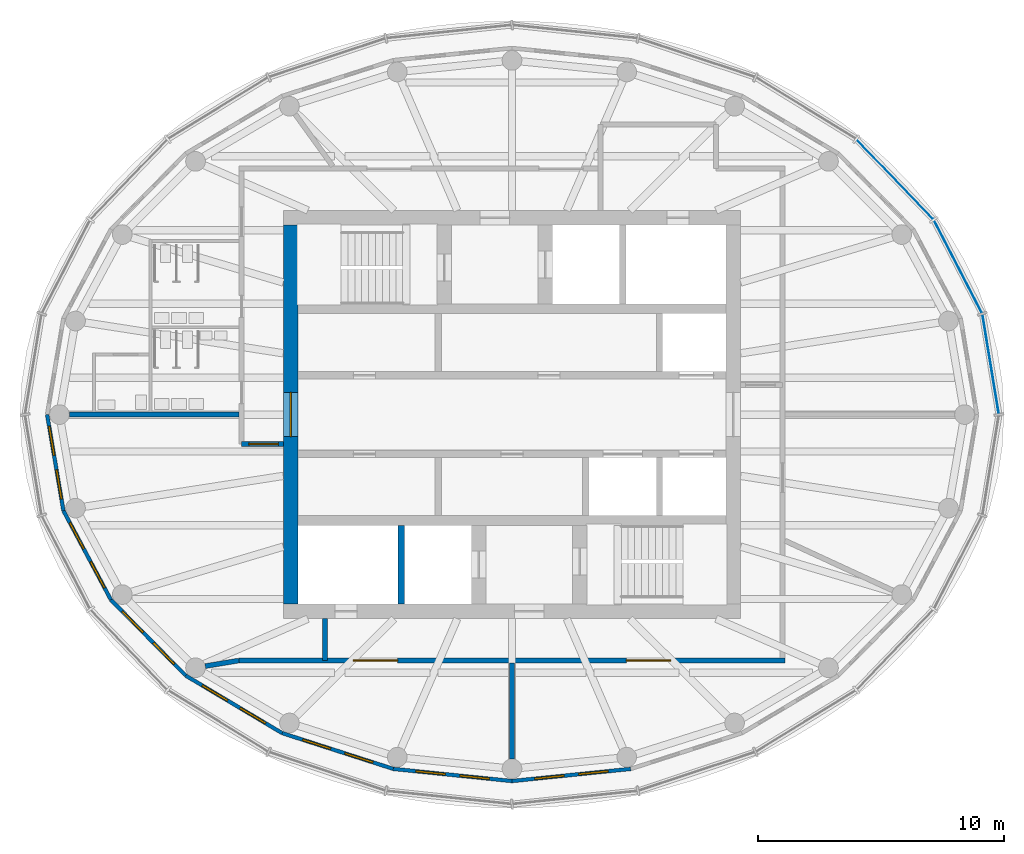
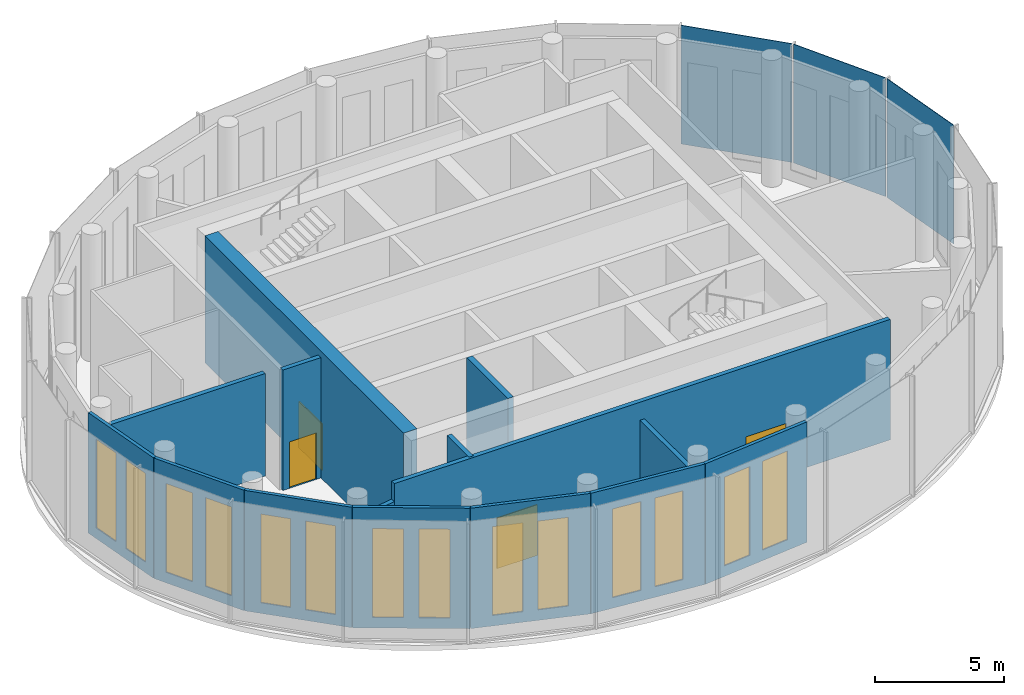
# One storey, part 4 of 11: 15 walls, 14 windows, 4 doors, 3 plates, 18 openings, 1 element without a shape of its own.
"""IFC4 building model written with IfcOpenShell, lengths in metres."""

import ifcopenshell
import ifcopenshell.guid

model = None  # the IFC model being written
_history = None  # IfcOwnerHistory: only IFC2X3 demands one
_inside = {}  # id of a spatial element -> (the spatial element, [elements in it])
_under = {}  # id of a project, library or spatial element -> (it, [spatial elements below it])
_declared = {}  # id of a project -> (the project, [libraries it declares])
_typed = {}  # id of a type object -> (the type object, [elements of that type])
_made_of = {}  # id of a material, layer set ... -> (it, [elements and type objects made of it])


def new_model(schema):
    """Start an empty IFC model of exactly this schema.

    Asked for "IFC4X3", IfcOpenShell would pick the latest addendum, in which some entities
    have other attributes; the version numbers below select the first issue.
    IFC2X3 requires an IfcOwnerHistory on every rooted entity: one is made here for all.
    """
    global model, _history
    if schema == "IFC4X3":
        model = ifcopenshell.file(schema_version=(4, 3, 0, 0))
    else:
        model = ifcopenshell.file(schema=schema)
    _inside.clear()
    _under.clear()
    _declared.clear()
    _typed.clear()
    _made_of.clear()
    _history = None
    if model.schema == "IFC2X3":
        org = make("IfcOrganization", Name="unknown")
        user = make(
            "IfcPersonAndOrganization",
            ThePerson=make("IfcPerson", FamilyName="unknown"),
            TheOrganization=org,
        )
        app = make(
            "IfcApplication",
            ApplicationDeveloper=org,
            Version="unknown",
            ApplicationFullName="unknown",
            ApplicationIdentifier="unknown",
        )
        _history = make(
            "IfcOwnerHistory",
            OwningUser=user,
            OwningApplication=app,
            ChangeAction="ADDED",
            CreationDate=0,
        )
    return model


def make(cls, **values):
    """One entity of the class cls with the attributes given. An attribute that is None is left unset."""
    return model.create_entity(
        cls, **{name: value for name, value in values.items() if value is not None}
    )


def rooted(cls, **values):
    """An entity with a GlobalId (a new one), such as an element, a storey or a relation."""
    return make(cls, GlobalId=ifcopenshell.guid.new(), OwnerHistory=_history, **values)


def si_unit(unit_type, name, prefix=None):
    """IfcSIUnit, for example si_unit("LENGTHUNIT", "METRE", prefix="MILLI")."""
    return make("IfcSIUnit", UnitType=unit_type, Prefix=prefix, Name=name)


def assignment(units):
    """IfcUnitAssignment: the units of a project."""
    return None if units is None else make("IfcUnitAssignment", Units=units)


def point(xyz):
    """IfcCartesianPoint."""
    return None if xyz is None else make("IfcCartesianPoint", Coordinates=xyz)


def direction(xyz):
    """IfcDirection."""
    return None if xyz is None else make("IfcDirection", DirectionRatios=xyz)


def frame(location, z_axis=None, x_axis=None):
    """IfcAxis2Placement3D, a coordinate frame: its origin and axes. An axis left out is left unset."""
    return make(
        "IfcAxis2Placement3D",
        Location=point(location),
        Axis=direction(z_axis),
        RefDirection=direction(x_axis),
    )


def frame_2d(location, x_axis=None):
    """IfcAxis2Placement2D, a coordinate frame in the plane: its origin and x axis."""
    return make(
        "IfcAxis2Placement2D", Location=point(location), RefDirection=direction(x_axis)
    )


def origin():
    """The frame at (0, 0, 0) with its axes left unset."""
    return frame((0.0, 0.0, 0.0))


def origin_2d():
    """The frame at (0, 0) in the plane with its x axis left unset."""
    return frame_2d((0.0, 0.0))


def place(relative_to, where):
    """IfcLocalPlacement: puts the frame where relative to a parent placement (None: the world)."""
    return make(
        "IfcLocalPlacement", PlacementRelTo=relative_to, RelativePlacement=where
    )


def context(
    kind, dimensions, precision=None, world=None, true_north=None, identifier=None
):
    """IfcGeometricRepresentationContext, for example the 3D "Model" context."""
    return make(
        "IfcGeometricRepresentationContext",
        ContextIdentifier=identifier,
        ContextType=kind,
        CoordinateSpaceDimension=dimensions,
        Precision=precision,
        WorldCoordinateSystem=world,
        TrueNorth=true_north,
    )


def subcontext(parent, identifier, kind, view, scale=None):
    """IfcGeometricRepresentationSubContext, for example "Body" below "Model"."""
    return make(
        "IfcGeometricRepresentationSubContext",
        ContextIdentifier=identifier,
        ContextType=kind,
        ParentContext=parent,
        TargetScale=scale,
        TargetView=view,
    )


def project(units=None, contexts=None):
    """IfcProject with its units and contexts."""
    return rooted(
        "IfcProject",
        Name="project",
        RepresentationContexts=contexts,
        UnitsInContext=assignment(units),
    )


def spatial(cls, under=None, at=None, **own):
    """A site, building, storey or space (cls), placed at a placement, below another one or the project."""
    s = rooted(cls, ObjectPlacement=at, **own)
    if under is not None:
        _under.setdefault(under.id(), (under, []))[1].append(s)
    return s


def profile(cls, at=None, kind="AREA", **sizes):
    """A parametric profile (cls). Its sizes go by their IFC names, for example OverallWidth=200.0."""
    return make(cls, ProfileType=kind, Position=at, **sizes)


def rectangle(**sizes):
    """IfcRectangleProfileDef."""
    return profile("IfcRectangleProfileDef", **sizes)


def extrude(swept, where, along, depth):
    """IfcExtrudedAreaSolid: the profile swept, set in the frame where, extruded along a direction by depth."""
    return make(
        "IfcExtrudedAreaSolid",
        SweptArea=swept,
        Position=where,
        ExtrudedDirection=direction(along),
        Depth=depth,
    )


def shape(context_of_items, identifier, shape_type, items):
    """IfcShapeRepresentation: the items that make up one representation, for example the "Body"."""
    return make(
        "IfcShapeRepresentation",
        ContextOfItems=context_of_items,
        RepresentationIdentifier=identifier,
        RepresentationType=shape_type,
        Items=items,
    )


def material(Name=None, Category=None):
    """IfcMaterial."""
    return make("IfcMaterial", Name=Name, Category=Category)


def layer(
    of_material, thickness, ventilated=None, Name=None, Category=None, Priority=None
):
    """IfcMaterialLayer: one layer of a wall or slab, of a material (None: an air gap)."""
    return make(
        "IfcMaterialLayer",
        Material=of_material,
        LayerThickness=thickness,
        IsVentilated=ventilated,
        Name=Name,
        Category=Category,
        Priority=Priority,
    )


def layer_set(layers, Name=None):
    """IfcMaterialLayerSet."""
    return make("IfcMaterialLayerSet", MaterialLayers=layers, LayerSetName=Name)


def made_of(thing, what):
    """Note that an element or type object is made of a material, layer set ...; save() writes the relation."""
    if what is not None:
        _made_of.setdefault(what.id(), (what, []))[1].append(thing)
    return thing


def type_object(cls, material=None, **own):
    """A type object (cls), such as IfcWallType, which elements share."""
    return made_of(rooted(cls, **own), material)


def element(
    cls,
    number,
    at=None,
    inside=None,
    cuts=None,
    type_object=None,
    material=None,
    context=None,
    identifier="Body",
    shape_type=None,
    held_by="IfcProductDefinitionShape",
    body=None,
    shapes=None,
    **own,
):
    """One element of the class cls, such as IfcWall. Its Tag is "e" and its number.

    at: its placement. inside: the storey or other place that contains it. cuts: it is an
    opening in that element (IfcRelVoidsElement). A single representation is given by context,
    identifier, shape_type and body (its items); several are given by shapes. held_by: the class
    of the entity that holds the representations. save() writes the other relations.
    """
    e = rooted(cls, Tag="e%d" % number, ObjectPlacement=at, **own)
    if body is not None:
        shapes = [shape(context, identifier, shape_type, body)]
    if shapes is not None:
        e.Representation = make(held_by, Representations=shapes)
    if inside is not None:
        _inside.setdefault(inside.id(), (inside, []))[1].append(e)
    if cuts is not None:
        rooted(
            "IfcRelVoidsElement", RelatingBuildingElement=cuts, RelatedOpeningElement=e
        )
    if type_object is not None:
        _typed.setdefault(type_object.id(), (type_object, []))[1].append(e)
    return made_of(e, material)


def fill(opening, filler):
    """IfcRelFillsElement: the door or window that sits in an opening."""
    return rooted(
        "IfcRelFillsElement",
        RelatingOpeningElement=opening,
        RelatedBuildingElement=filler,
    )


def aggregate(whole, parts):
    """IfcRelAggregates: a whole, such as a stair, and the parts it consists of."""
    return rooted("IfcRelAggregates", RelatingObject=whole, RelatedObjects=parts)


def save(model, path):
    """Write the relations noted so far, then the file.

    IfcRelAggregates (storeys below a building ...), IfcRelContainedInSpatialStructure (elements
    in a storey), IfcRelDefinesByType, IfcRelAssociatesMaterial and IfcRelDeclares: one each for
    every whole, place, type object, material and project.
    """
    for whole, parts in _under.values():
        aggregate(whole, parts)
    for where, things in _inside.values():
        rooted(
            "IfcRelContainedInSpatialStructure",
            RelatedElements=things,
            RelatingStructure=where,
        )
    for kind, things in _typed.values():
        rooted("IfcRelDefinesByType", RelatedObjects=things, RelatingType=kind)
    for what, things in _made_of.values():
        rooted("IfcRelAssociatesMaterial", RelatedObjects=things, RelatingMaterial=what)
    for by, libraries in _declared.values():
        rooted("IfcRelDeclares", RelatingContext=by, RelatedDefinitions=libraries)
    model.write(path)


model = new_model("IFC4")

# Units and contexts
model_context = context("Model", 3, precision=1e-05, world=origin(), true_north=direction((0.0, 1.0)))
body_context = subcontext(model_context, "Body", "Model", "MODEL_VIEW")
ifc_project = project(units=[si_unit("LENGTHUNIT", "METRE"), si_unit("AREAUNIT", "SQUARE_METRE"), si_unit("VOLUMEUNIT", "CUBIC_METRE"), si_unit("PLANEANGLEUNIT", "RADIAN"), si_unit("MASSUNIT", "GRAM", prefix="KILO")], contexts=[model_context])

# Site, building, storey
site_placement = place(None, origin())
site = spatial("IfcSite", under=ifc_project, at=site_placement, CompositionType="ELEMENT")
building_placement = place(site_placement, origin())
building = spatial("IfcBuilding", under=site, at=building_placement, Name="Hankou Lantern Tower", CompositionType="ELEMENT")
storey_placement = place(building_placement, frame((0.0, 0.0, 242.699951171875)))
storey = spatial("IfcBuildingStorey", under=building, at=storey_placement, Name="L65", CompositionType="ELEMENT", Elevation=242.699951171875)

# Curtain wall, plates
ifc_material_1 = material(Name="Glass, dark grey tinted laminated", Category="glass")
curtain_wall_type = type_object("IfcCurtainWallType", Name="CWE OUTER SKIN CROWN", PredefinedType="USERDEFINED", material=ifc_material_1)
curtain_wall_placement = place(storey_placement, origin())
curtain_wall = element("IfcCurtainWall", 1, at=curtain_wall_placement, inside=storey, type_object=curtain_wall_type, Name="CWE L65 OS1", ObjectType="OUTER SKIN CROWN", PredefinedType="USERDEFINED")
ifc_material_2 = material(Name="Glass, dark grey tinted laminated", Category="glass")
ifc_layer_1 = layer(ifc_material_2, 0.028076171875)
ifc_layer_set_1 = layer_set([ifc_layer_1], Name="Glass, dark grey tinted laminated")
plate_type = type_object("IfcPlateType", Name="PN3 OUTER SKIN TALL GLASS PANEL", PredefinedType="CURTAIN_PANEL", material=ifc_layer_set_1)
plate_1_placement = place(storey_placement, frame((19.462646484375, 2.0498046875, 0.080078125), z_axis=(0.0, 0.0, 1.0), x_axis=(-0.162381515188, 0.986728049427, 0.0)))
plate_1 = element("IfcPlate", 2, at=plate_1_placement, type_object=plate_type, Name="CWE glass panel 1", PredefinedType="CURTAIN_PANEL", context=body_context, shape_type="SweptSolid", body=[
    extrude(rectangle(XDim=4.074951171875, YDim=0.028076171875, at=origin_2d()), origin(), (0.0, 0.0, 1.0), 5.6201171875),
])
plate_2_placement = place(storey_placement, frame((18.13623046875, 6.009765625, 0.080078125), z_axis=(0.0, 0.0, 1.0), x_axis=(-0.459791091957, 0.888027112062, 0.0)))
plate_2 = element("IfcPlate", 3, at=plate_2_placement, type_object=plate_type, Name="CWE glass panel 2", PredefinedType="CURTAIN_PANEL", context=body_context, shape_type="SweptSolid", body=[
    extrude(rectangle(XDim=4.221923828125, YDim=0.028076171875, at=origin_2d()), origin(), (0.0, 0.0, 1.0), 5.6201171875),
])
plate_3_placement = place(storey_placement, frame((15.573974609375, 9.560302734375, 0.080078125), z_axis=(0.0, 0.0, 1.0), x_axis=(-0.692215809936, 0.721690565599, 0.0)))
plate_3 = element("IfcPlate", 4, at=plate_3_placement, type_object=plate_type, Name="CWE glass panel 3", PredefinedType="CURTAIN_PANEL", context=body_context, shape_type="SweptSolid", body=[
    extrude(rectangle(XDim=4.465576171875, YDim=0.028076171875, at=origin_2d()), origin(), (0.0, 0.0, 1.0), 5.6201171875),
])
aggregate(curtain_wall, [plate_1, plate_2, plate_3])

# Wall, opening, door
ifc_material_3 = material(Name="Concrete C60", Category="concrete")
ifc_layer_2 = layer(ifc_material_3, 0.60009765625)
ifc_layer_set_2 = layer_set([ifc_layer_2], Name="Concrete C60")
wall_type_1 = type_object("IfcWallType", Name="CW3 CORE WALL 600", PredefinedType="SHEAR", material=ifc_layer_set_2)
wall_1_placement = place(storey_placement, frame((-9.0, 7.699951171875, 0.0), z_axis=(0.0, 0.0, 1.0), x_axis=(0.0, -1.0, 0.0)))
wall_1 = element("IfcWall", 5, at=wall_1_placement, inside=storey, type_object=wall_type_1, Name="Core wall west L65", PredefinedType="SHEAR", context=body_context, shape_type="SweptSolid", body=[
    extrude(rectangle(XDim=15.39990234375, YDim=0.60009765625, at=frame_2d((7.699951171875, 0.0))), origin(), (0.0, 0.0, 1.0), 6.0),
])
opening_1_placement = place(wall_1_placement, frame((6.800048828125, 0.0, 0.0)))
opening_1 = element("IfcOpeningElement", 6, at=opening_1_placement, cuts=wall_1, Name="Opening D6", PredefinedType="OPENING", context=body_context, shape_type="SweptSolid", body=[
    extrude(rectangle(XDim=1.800048828125, YDim=2.199951171875, at=frame_2d((0.89990234375, 1.10009765625))), frame((0.0, 0.31005859375, 0.0), z_axis=(0.0, -1.0, 0.0), x_axis=(1.0, 0.0, 0.0)), (0.0, 0.0, 1.0), 0.6201171875),
])
ifc_material_4 = material(Name="Steel door leaf", Category="steel")
door_type_1 = type_object("IfcDoorType", Name="D6 LIFT LOBBY DOOR 1800X2200", OperationType="DOUBLE_DOOR_DOUBLE_SWING", PredefinedType="DOOR", material=ifc_material_4)
door_1_placement = place(opening_1_placement, origin())
door_1 = element("IfcDoor", 7, at=door_1_placement, inside=storey, type_object=door_type_1, Name="Lift lobby west door", OperationType="DOUBLE_DOOR_DOUBLE_SWING", OverallHeight=2.199951171875, OverallWidth=1.800048828125, PredefinedType="DOOR", context=body_context, shape_type="SweptSolid", body=[
    extrude(rectangle(XDim=1.800048828125, YDim=2.199951171875, at=frame_2d((0.89990234375, 1.10009765625))), frame((0.0, 0.02490234375, 0.0), z_axis=(0.0, -1.0, 0.0), x_axis=(1.0, 0.0, 0.0)), (0.0, 0.0, 1.0), 0.050048828125),
])
fill(opening_1, door_1)

# Wall, openings, windows
ifc_material_5 = material(Name="Aluminium spandrel panel on steel studs", Category="steel")
ifc_layer_3 = layer(ifc_material_5, 0.14990234375)
ifc_layer_set_3 = layer_set([ifc_layer_3], Name="Aluminium spandrel panel on steel studs")
wall_type_2 = type_object("IfcWallType", Name="EW1 INNER SKIN WALL 150", PredefinedType="ELEMENTEDWALL", material=ifc_layer_set_3)
wall_2_placement = place(storey_placement, frame((-18.89990234375, 0.0, 0.0), z_axis=(0.0, 0.0, 1.0), x_axis=(0.166984464914, -0.985959526795, 0.0)))
wall_2 = element("IfcWall", 8, at=wall_2_placement, inside=storey, type_object=wall_type_2, Name="Inner skin R13-R14 L65", PredefinedType="ELEMENTEDWALL", context=body_context, shape_type="SweptSolid", body=[
    extrude(rectangle(XDim=3.965087890625, YDim=0.14990234375, at=frame_2d((1.982421875, 0.0))), origin(), (0.0, 0.0, 1.0), 5.699951171875),
])
opening_2_placement = place(wall_2_placement, frame((0.482666015625, 0.0, 0.5)))
opening_2 = element("IfcOpeningElement", 9, at=opening_2_placement, cuts=wall_2, Name="Opening W8", PredefinedType="OPENING", context=body_context, shape_type="SweptSolid", body=[
    extrude(rectangle(XDim=1.199951171875, YDim=4.199951171875, at=frame_2d((0.60009765625, 2.10009765625))), frame((0.0, 0.0849609375, 0.0), z_axis=(0.0, -1.0, 0.0), x_axis=(1.0, 0.0, 0.0)), (0.0, 0.0, 1.0), 0.169921875),
])
opening_3_placement = place(wall_2_placement, frame((2.282470703125, 0.0, 0.5)))
opening_3 = element("IfcOpeningElement", 10, at=opening_3_placement, cuts=wall_2, Name="Opening W8", PredefinedType="OPENING", context=body_context, shape_type="SweptSolid", body=[
    extrude(rectangle(XDim=1.199951171875, YDim=4.199951171875, at=frame_2d((0.60009765625, 2.10009765625))), frame((0.0, 0.0849609375, 0.0), z_axis=(0.0, -1.0, 0.0), x_axis=(1.0, 0.0, 0.0)), (0.0, 0.0, 1.0), 0.169921875),
])
ifc_material_6 = material(Name="Aluminium framed double glazed window", Category="aluminium")
window_type = type_object("IfcWindowType", Name="W8 OBSERVATION WINDOW 1200X4200", PartitioningType="DOUBLE_PANEL_VERTICAL", PredefinedType="WINDOW", material=ifc_material_6)
window_1_placement = place(opening_2_placement, origin())
window_1 = element("IfcWindow", 11, at=window_1_placement, inside=storey, type_object=window_type, Name="Window R13.1 L65", OverallHeight=4.199951171875, OverallWidth=1.199951171875, PartitioningType="SINGLE_PANEL", PredefinedType="WINDOW", context=body_context, shape_type="SweptSolid", body=[
    extrude(rectangle(XDim=1.199951171875, YDim=4.199951171875, at=frame_2d((0.60009765625, 2.10009765625))), frame((0.0, 0.030029296875, 0.0), z_axis=(0.0, -1.0, 0.0), x_axis=(1.0, 0.0, 0.0)), (0.0, 0.0, 1.0), 0.06005859375),
])
fill(opening_2, window_1)
window_2_placement = place(opening_3_placement, origin())
window_2 = element("IfcWindow", 12, at=window_2_placement, inside=storey, type_object=window_type, Name="Window R13.2 L65", OverallHeight=4.199951171875, OverallWidth=1.199951171875, PartitioningType="SINGLE_PANEL", PredefinedType="WINDOW", context=body_context, shape_type="SweptSolid", body=[
    extrude(rectangle(XDim=1.199951171875, YDim=4.199951171875, at=frame_2d((0.60009765625, 2.10009765625))), frame((0.0, 0.030029296875, 0.0), z_axis=(0.0, -1.0, 0.0), x_axis=(1.0, 0.0, 0.0)), (0.0, 0.0, 1.0), 0.06005859375),
])
fill(opening_3, window_2)

wall_3_placement = place(storey_placement, frame((-18.23779296875, -3.909423828125, 0.0), z_axis=(0.0, 0.0, 1.0), x_axis=(0.470282591286, -0.882515883332, 0.0)))
wall_3 = element("IfcWall", 13, at=wall_3_placement, inside=storey, type_object=wall_type_2, Name="Inner skin R14-R15 L65", PredefinedType="ELEMENTEDWALL", context=body_context, shape_type="SweptSolid", body=[
    extrude(rectangle(XDim=4.104736328125, YDim=0.14990234375, at=frame_2d((2.05224609375, 0.0))), origin(), (0.0, 0.0, 1.0), 5.699951171875),
])
opening_4_placement = place(wall_3_placement, frame((0.552490234375, 0.0, 0.5)))
opening_4 = element("IfcOpeningElement", 14, at=opening_4_placement, cuts=wall_3, Name="Opening W8", PredefinedType="OPENING", context=body_context, shape_type="SweptSolid", body=[
    extrude(rectangle(XDim=1.199951171875, YDim=4.199951171875, at=frame_2d((0.60009765625, 2.10009765625))), frame((0.0, 0.0849609375, 0.0), z_axis=(0.0, -1.0, 0.0), x_axis=(1.0, 0.0, 0.0)), (0.0, 0.0, 1.0), 0.169921875),
])
opening_5_placement = place(wall_3_placement, frame((2.3525390625, 0.0, 0.5)))
opening_5 = element("IfcOpeningElement", 15, at=opening_5_placement, cuts=wall_3, Name="Opening W8", PredefinedType="OPENING", context=body_context, shape_type="SweptSolid", body=[
    extrude(rectangle(XDim=1.199951171875, YDim=4.199951171875, at=frame_2d((0.60009765625, 2.10009765625))), frame((0.0, 0.0849609375, 0.0), z_axis=(0.0, -1.0, 0.0), x_axis=(1.0, 0.0, 0.0)), (0.0, 0.0, 1.0), 0.169921875),
])
window_3_placement = place(opening_4_placement, origin())
window_3 = element("IfcWindow", 16, at=window_3_placement, inside=storey, type_object=window_type, Name="Window R14.1 L65", OverallHeight=4.199951171875, OverallWidth=1.199951171875, PartitioningType="SINGLE_PANEL", PredefinedType="WINDOW", context=body_context, shape_type="SweptSolid", body=[
    extrude(rectangle(XDim=1.199951171875, YDim=4.199951171875, at=frame_2d((0.60009765625, 2.10009765625))), frame((0.0, 0.030029296875, 0.0), z_axis=(0.0, -1.0, 0.0), x_axis=(1.0, 0.0, 0.0)), (0.0, 0.0, 1.0), 0.06005859375),
])
fill(opening_4, window_3)
window_4_placement = place(opening_5_placement, origin())
window_4 = element("IfcWindow", 17, at=window_4_placement, inside=storey, type_object=window_type, Name="Window R14.2 L65", OverallHeight=4.199951171875, OverallWidth=1.199951171875, PartitioningType="SINGLE_PANEL", PredefinedType="WINDOW", context=body_context, shape_type="SweptSolid", body=[
    extrude(rectangle(XDim=1.199951171875, YDim=4.199951171875, at=frame_2d((0.60009765625, 2.10009765625))), frame((0.0, 0.030029296875, 0.0), z_axis=(0.0, -1.0, 0.0), x_axis=(1.0, 0.0, 0.0)), (0.0, 0.0, 1.0), 0.06005859375),
])
fill(opening_5, window_4)

wall_4_placement = place(storey_placement, frame((-16.307373046875, -7.531982421875, 0.0), z_axis=(0.0, 0.0, 1.0), x_axis=(0.702523956258, -0.711660095048, 0.0)))
wall_4 = element("IfcWall", 18, at=wall_4_placement, inside=storey, type_object=wall_type_2, Name="Inner skin R15-R16 L65", PredefinedType="ELEMENTEDWALL", context=body_context, shape_type="SweptSolid", body=[
    extrude(rectangle(XDim=4.3291015625, YDim=0.14990234375, at=frame_2d((2.16455078125, 0.0))), origin(), (0.0, 0.0, 1.0), 5.699951171875),
])
opening_6_placement = place(wall_4_placement, frame((0.66455078125, 0.0, 0.5)))
opening_6 = element("IfcOpeningElement", 19, at=opening_6_placement, cuts=wall_4, Name="Opening W8", PredefinedType="OPENING", context=body_context, shape_type="SweptSolid", body=[
    extrude(rectangle(XDim=1.199951171875, YDim=4.199951171875, at=frame_2d((0.60009765625, 2.10009765625))), frame((0.0, 0.0849609375, 0.0), z_axis=(0.0, -1.0, 0.0), x_axis=(1.0, 0.0, 0.0)), (0.0, 0.0, 1.0), 0.169921875),
])
opening_7_placement = place(wall_4_placement, frame((2.464599609375, 0.0, 0.5)))
opening_7 = element("IfcOpeningElement", 20, at=opening_7_placement, cuts=wall_4, Name="Opening W8", PredefinedType="OPENING", context=body_context, shape_type="SweptSolid", body=[
    extrude(rectangle(XDim=1.199951171875, YDim=4.199951171875, at=frame_2d((0.60009765625, 2.10009765625))), frame((0.0, 0.0849609375, 0.0), z_axis=(0.0, -1.0, 0.0), x_axis=(1.0, 0.0, 0.0)), (0.0, 0.0, 1.0), 0.169921875),
])
window_5_placement = place(opening_6_placement, origin())
window_5 = element("IfcWindow", 21, at=window_5_placement, inside=storey, type_object=window_type, Name="Window R15.1 L65", OverallHeight=4.199951171875, OverallWidth=1.199951171875, PartitioningType="SINGLE_PANEL", PredefinedType="WINDOW", context=body_context, shape_type="SweptSolid", body=[
    extrude(rectangle(XDim=1.199951171875, YDim=4.199951171875, at=frame_2d((0.60009765625, 2.10009765625))), frame((0.0, 0.030029296875, 0.0), z_axis=(0.0, -1.0, 0.0), x_axis=(1.0, 0.0, 0.0)), (0.0, 0.0, 1.0), 0.06005859375),
])
fill(opening_6, window_5)
window_6_placement = place(opening_7_placement, origin())
window_6 = element("IfcWindow", 22, at=window_6_placement, inside=storey, type_object=window_type, Name="Window R15.2 L65", OverallHeight=4.199951171875, OverallWidth=1.199951171875, PartitioningType="SINGLE_PANEL", PredefinedType="WINDOW", context=body_context, shape_type="SweptSolid", body=[
    extrude(rectangle(XDim=1.199951171875, YDim=4.199951171875, at=frame_2d((0.60009765625, 2.10009765625))), frame((0.0, 0.030029296875, 0.0), z_axis=(0.0, -1.0, 0.0), x_axis=(1.0, 0.0, 0.0)), (0.0, 0.0, 1.0), 0.06005859375),
])
fill(opening_7, window_6)

wall_5_placement = place(storey_placement, frame((-13.26611328125, -10.61279296875, 0.0), z_axis=(0.0, 0.0, 1.0), x_axis=(0.858849230109, -0.512228464594, 0.0)))
wall_5 = element("IfcWall", 23, at=wall_5_placement, inside=storey, type_object=wall_type_2, Name="Inner skin R16-R17 L65", PredefinedType="ELEMENTEDWALL", context=body_context, shape_type="SweptSolid", body=[
    extrude(rectangle(XDim=4.564208984375, YDim=0.14990234375, at=frame_2d((2.2822265625, 0.0))), origin(), (0.0, 0.0, 1.0), 5.699951171875),
])
opening_8_placement = place(wall_5_placement, frame((0.781982421875, 0.0, 0.5)))
opening_8 = element("IfcOpeningElement", 24, at=opening_8_placement, cuts=wall_5, Name="Opening W8", PredefinedType="OPENING", context=body_context, shape_type="SweptSolid", body=[
    extrude(rectangle(XDim=1.199951171875, YDim=4.199951171875, at=frame_2d((0.60009765625, 2.10009765625))), frame((0.0, 0.0849609375, 0.0), z_axis=(0.0, -1.0, 0.0), x_axis=(1.0, 0.0, 0.0)), (0.0, 0.0, 1.0), 0.169921875),
])
opening_9_placement = place(wall_5_placement, frame((2.58203125, 0.0, 0.5)))
opening_9 = element("IfcOpeningElement", 25, at=opening_9_placement, cuts=wall_5, Name="Opening W8", PredefinedType="OPENING", context=body_context, shape_type="SweptSolid", body=[
    extrude(rectangle(XDim=1.199951171875, YDim=4.199951171875, at=frame_2d((0.60009765625, 2.10009765625))), frame((0.0, 0.0849609375, 0.0), z_axis=(0.0, -1.0, 0.0), x_axis=(1.0, 0.0, 0.0)), (0.0, 0.0, 1.0), 0.169921875),
])
window_7_placement = place(opening_8_placement, origin())
window_7 = element("IfcWindow", 26, at=window_7_placement, inside=storey, type_object=window_type, Name="Window R16.1 L65", OverallHeight=4.199951171875, OverallWidth=1.199951171875, PartitioningType="SINGLE_PANEL", PredefinedType="WINDOW", context=body_context, shape_type="SweptSolid", body=[
    extrude(rectangle(XDim=1.199951171875, YDim=4.199951171875, at=frame_2d((0.60009765625, 2.10009765625))), frame((0.0, 0.030029296875, 0.0), z_axis=(0.0, -1.0, 0.0), x_axis=(1.0, 0.0, 0.0)), (0.0, 0.0, 1.0), 0.06005859375),
])
fill(opening_8, window_7)
window_8_placement = place(opening_9_placement, origin())
window_8 = element("IfcWindow", 27, at=window_8_placement, inside=storey, type_object=window_type, Name="Window R16.2 L65", OverallHeight=4.199951171875, OverallWidth=1.199951171875, PartitioningType="SINGLE_PANEL", PredefinedType="WINDOW", context=body_context, shape_type="SweptSolid", body=[
    extrude(rectangle(XDim=1.199951171875, YDim=4.199951171875, at=frame_2d((0.60009765625, 2.10009765625))), frame((0.0, 0.030029296875, 0.0), z_axis=(0.0, -1.0, 0.0), x_axis=(1.0, 0.0, 0.0)), (0.0, 0.0, 1.0), 0.06005859375),
])
fill(opening_9, window_8)

wall_6_placement = place(storey_placement, frame((-9.34619140625, -12.95068359375, 0.0), z_axis=(0.0, 0.0, 1.0), x_axis=(0.951881908824, -0.306465057804, 0.0)))
wall_6 = element("IfcWall", 28, at=wall_6_placement, inside=storey, type_object=wall_type_2, Name="Inner skin R17-R18 L65", PredefinedType="ELEMENTEDWALL", context=body_context, shape_type="SweptSolid", body=[
    extrude(rectangle(XDim=4.74951171875, YDim=0.14990234375, at=frame_2d((2.374755859375, 0.0))), origin(), (0.0, 0.0, 1.0), 5.699951171875),
])
opening_10_placement = place(wall_6_placement, frame((0.874755859375, 0.0, 0.5)))
opening_10 = element("IfcOpeningElement", 29, at=opening_10_placement, cuts=wall_6, Name="Opening W8", PredefinedType="OPENING", context=body_context, shape_type="SweptSolid", body=[
    extrude(rectangle(XDim=1.199951171875, YDim=4.199951171875, at=frame_2d((0.60009765625, 2.10009765625))), frame((0.0, 0.0849609375, 0.0), z_axis=(0.0, -1.0, 0.0), x_axis=(1.0, 0.0, 0.0)), (0.0, 0.0, 1.0), 0.169921875),
])
opening_11_placement = place(wall_6_placement, frame((2.6748046875, 0.0, 0.5)))
opening_11 = element("IfcOpeningElement", 30, at=opening_11_placement, cuts=wall_6, Name="Opening W8", PredefinedType="OPENING", context=body_context, shape_type="SweptSolid", body=[
    extrude(rectangle(XDim=1.199951171875, YDim=4.199951171875, at=frame_2d((0.60009765625, 2.10009765625))), frame((0.0, 0.0849609375, 0.0), z_axis=(0.0, -1.0, 0.0), x_axis=(1.0, 0.0, 0.0)), (0.0, 0.0, 1.0), 0.169921875),
])
window_9_placement = place(opening_10_placement, origin())
window_9 = element("IfcWindow", 31, at=window_9_placement, inside=storey, type_object=window_type, Name="Window R17.1 L65", OverallHeight=4.199951171875, OverallWidth=1.199951171875, PartitioningType="SINGLE_PANEL", PredefinedType="WINDOW", context=body_context, shape_type="SweptSolid", body=[
    extrude(rectangle(XDim=1.199951171875, YDim=4.199951171875, at=frame_2d((0.60009765625, 2.10009765625))), frame((0.0, 0.030029296875, 0.0), z_axis=(0.0, -1.0, 0.0), x_axis=(1.0, 0.0, 0.0)), (0.0, 0.0, 1.0), 0.06005859375),
])
fill(opening_10, window_9)
window_10_placement = place(opening_11_placement, origin())
window_10 = element("IfcWindow", 32, at=window_10_placement, inside=storey, type_object=window_type, Name="Window R17.2 L65", OverallHeight=4.199951171875, OverallWidth=1.199951171875, PartitioningType="SINGLE_PANEL", PredefinedType="WINDOW", context=body_context, shape_type="SweptSolid", body=[
    extrude(rectangle(XDim=1.199951171875, YDim=4.199951171875, at=frame_2d((0.60009765625, 2.10009765625))), frame((0.0, 0.030029296875, 0.0), z_axis=(0.0, -1.0, 0.0), x_axis=(1.0, 0.0, 0.0)), (0.0, 0.0, 1.0), 0.06005859375),
])
fill(opening_11, window_10)

wall_7_placement = place(storey_placement, frame((-4.8251953125, -14.40625, 0.0), z_axis=(0.0, 0.0, 1.0), x_axis=(0.994807343212, -0.10177597895, 0.0)))
wall_7 = element("IfcWall", 33, at=wall_7_placement, inside=storey, type_object=wall_type_2, Name="Inner skin R18-R19 L65", PredefinedType="ELEMENTEDWALL", context=body_context, shape_type="SweptSolid", body=[
    extrude(rectangle(XDim=4.850341796875, YDim=0.14990234375, at=frame_2d((2.42529296875, 0.0))), origin(), (0.0, 0.0, 1.0), 5.699951171875),
])
opening_12_placement = place(wall_7_placement, frame((0.92529296875, 0.0, 0.5)))
opening_12 = element("IfcOpeningElement", 34, at=opening_12_placement, cuts=wall_7, Name="Opening W8", PredefinedType="OPENING", context=body_context, shape_type="SweptSolid", body=[
    extrude(rectangle(XDim=1.199951171875, YDim=4.199951171875, at=frame_2d((0.60009765625, 2.10009765625))), frame((0.0, 0.0849609375, 0.0), z_axis=(0.0, -1.0, 0.0), x_axis=(1.0, 0.0, 0.0)), (0.0, 0.0, 1.0), 0.169921875),
])
opening_13_placement = place(wall_7_placement, frame((2.72509765625, 0.0, 0.5)))
opening_13 = element("IfcOpeningElement", 35, at=opening_13_placement, cuts=wall_7, Name="Opening W8", PredefinedType="OPENING", context=body_context, shape_type="SweptSolid", body=[
    extrude(rectangle(XDim=1.199951171875, YDim=4.199951171875, at=frame_2d((0.60009765625, 2.10009765625))), frame((0.0, 0.0849609375, 0.0), z_axis=(0.0, -1.0, 0.0), x_axis=(1.0, 0.0, 0.0)), (0.0, 0.0, 1.0), 0.169921875),
])
window_11_placement = place(opening_12_placement, origin())
window_11 = element("IfcWindow", 36, at=window_11_placement, inside=storey, type_object=window_type, Name="Window R18.1 L65", OverallHeight=4.199951171875, OverallWidth=1.199951171875, PartitioningType="SINGLE_PANEL", PredefinedType="WINDOW", context=body_context, shape_type="SweptSolid", body=[
    extrude(rectangle(XDim=1.199951171875, YDim=4.199951171875, at=frame_2d((0.60009765625, 2.10009765625))), frame((0.0, 0.030029296875, 0.0), z_axis=(0.0, -1.0, 0.0), x_axis=(1.0, 0.0, 0.0)), (0.0, 0.0, 1.0), 0.06005859375),
])
fill(opening_12, window_11)
window_12_placement = place(opening_13_placement, origin())
window_12 = element("IfcWindow", 37, at=window_12_placement, inside=storey, type_object=window_type, Name="Window R18.2 L65", OverallHeight=4.199951171875, OverallWidth=1.199951171875, PartitioningType="SINGLE_PANEL", PredefinedType="WINDOW", context=body_context, shape_type="SweptSolid", body=[
    extrude(rectangle(XDim=1.199951171875, YDim=4.199951171875, at=frame_2d((0.60009765625, 2.10009765625))), frame((0.0, 0.030029296875, 0.0), z_axis=(0.0, -1.0, 0.0), x_axis=(1.0, 0.0, 0.0)), (0.0, 0.0, 1.0), 0.06005859375),
])
fill(opening_13, window_12)

wall_8_placement = place(storey_placement, frame((0.0, -14.89990234375, 0.0), z_axis=(0.0, 0.0, 1.0), x_axis=(0.994807343212, 0.10177597895, 0.0)))
wall_8 = element("IfcWall", 38, at=wall_8_placement, inside=storey, type_object=wall_type_2, Name="Inner skin R19-R20 L65", PredefinedType="ELEMENTEDWALL", context=body_context, shape_type="SweptSolid", body=[
    extrude(rectangle(XDim=4.850341796875, YDim=0.14990234375, at=frame_2d((2.42529296875, 0.0))), origin(), (0.0, 0.0, 1.0), 5.699951171875),
])
opening_14_placement = place(wall_8_placement, frame((0.92529296875, 0.0, 0.5)))
opening_14 = element("IfcOpeningElement", 39, at=opening_14_placement, cuts=wall_8, Name="Opening W8", PredefinedType="OPENING", context=body_context, shape_type="SweptSolid", body=[
    extrude(rectangle(XDim=1.199951171875, YDim=4.199951171875, at=frame_2d((0.60009765625, 2.10009765625))), frame((0.0, 0.0849609375, 0.0), z_axis=(0.0, -1.0, 0.0), x_axis=(1.0, 0.0, 0.0)), (0.0, 0.0, 1.0), 0.169921875),
])
opening_15_placement = place(wall_8_placement, frame((2.72509765625, 0.0, 0.5)))
opening_15 = element("IfcOpeningElement", 40, at=opening_15_placement, cuts=wall_8, Name="Opening W8", PredefinedType="OPENING", context=body_context, shape_type="SweptSolid", body=[
    extrude(rectangle(XDim=1.199951171875, YDim=4.199951171875, at=frame_2d((0.60009765625, 2.10009765625))), frame((0.0, 0.0849609375, 0.0), z_axis=(0.0, -1.0, 0.0), x_axis=(1.0, 0.0, 0.0)), (0.0, 0.0, 1.0), 0.169921875),
])
window_13_placement = place(opening_14_placement, origin())
window_13 = element("IfcWindow", 41, at=window_13_placement, inside=storey, type_object=window_type, Name="Window R19.1 L65", OverallHeight=4.199951171875, OverallWidth=1.199951171875, PartitioningType="SINGLE_PANEL", PredefinedType="WINDOW", context=body_context, shape_type="SweptSolid", body=[
    extrude(rectangle(XDim=1.199951171875, YDim=4.199951171875, at=frame_2d((0.60009765625, 2.10009765625))), frame((0.0, 0.030029296875, 0.0), z_axis=(0.0, -1.0, 0.0), x_axis=(1.0, 0.0, 0.0)), (0.0, 0.0, 1.0), 0.06005859375),
])
fill(opening_14, window_13)
window_14_placement = place(opening_15_placement, origin())
window_14 = element("IfcWindow", 42, at=window_14_placement, inside=storey, type_object=window_type, Name="Window R19.2 L65", OverallHeight=4.199951171875, OverallWidth=1.199951171875, PartitioningType="SINGLE_PANEL", PredefinedType="WINDOW", context=body_context, shape_type="SweptSolid", body=[
    extrude(rectangle(XDim=1.199951171875, YDim=4.199951171875, at=frame_2d((0.60009765625, 2.10009765625))), frame((0.0, 0.030029296875, 0.0), z_axis=(0.0, -1.0, 0.0), x_axis=(1.0, 0.0, 0.0)), (0.0, 0.0, 1.0), 0.06005859375),
])
fill(opening_15, window_14)

# Wall, openings, doors
ifc_material_7 = material(Name="Masonry lightweight concrete block", Category="masonry")
ifc_layer_4 = layer(ifc_material_7, 0.199951171875)
ifc_layer_set_4 = layer_set([ifc_layer_4], Name="Masonry lightweight concrete block")
wall_type_3 = type_object("IfcWallType", Name="IW2 CORRIDOR WALL 200", PredefinedType="PARTITIONING", material=ifc_layer_set_4)
wall_9_placement = place(storey_placement, frame((11.10009765625, -10.0, 0.0), z_axis=(0.0, 0.0, 1.0), x_axis=(-1.0, 0.0, 0.0)))
wall_9 = element("IfcWall", 43, at=wall_9_placement, inside=storey, type_object=wall_type_3, Name="Corridor wall south", PredefinedType="PARTITIONING", context=body_context, shape_type="SweptSolid", body=[
    extrude(rectangle(XDim=22.2001953125, YDim=0.199951171875, at=frame_2d((11.10009765625, 0.0))), origin(), (0.0, 0.0, 1.0), 5.699951171875),
])
opening_16_placement = place(wall_9_placement, frame((4.64990234375, 0.0, 0.0)))
opening_16 = element("IfcOpeningElement", 44, at=opening_16_placement, cuts=wall_9, Name="Opening D8", PredefinedType="OPENING", context=body_context, shape_type="SweptSolid", body=[
    extrude(rectangle(XDim=1.800048828125, YDim=2.39990234375, at=frame_2d((0.89990234375, 1.199951171875))), frame((0.0, 0.10986328125, 0.0), z_axis=(0.0, -1.0, 0.0), x_axis=(1.0, 0.0, 0.0)), (0.0, 0.0, 1.0), 0.219970703125),
])
opening_17_placement = place(wall_9_placement, frame((15.75, 0.0, 0.0)))
opening_17 = element("IfcOpeningElement", 45, at=opening_17_placement, cuts=wall_9, Name="Opening D8", PredefinedType="OPENING", context=body_context, shape_type="SweptSolid", body=[
    extrude(rectangle(XDim=1.800048828125, YDim=2.39990234375, at=frame_2d((0.89990234375, 1.199951171875))), frame((0.0, 0.10986328125, 0.0), z_axis=(0.0, -1.0, 0.0), x_axis=(1.0, 0.0, 0.0)), (0.0, 0.0, 1.0), 0.219970703125),
])
ifc_material_8 = material(Name="Steel door leaf", Category="steel")
door_type_2 = type_object("IfcDoorType", Name="D8 DOUBLE DOOR 1800X2400", OperationType="DOUBLE_DOOR_DOUBLE_SWING", PredefinedType="DOOR", material=ifc_material_8)
door_2_placement = place(opening_16_placement, origin())
door_2 = element("IfcDoor", 46, at=door_2_placement, inside=storey, type_object=door_type_2, Name="Observation exhibition space door", OperationType="DOUBLE_DOOR_DOUBLE_SWING", OverallHeight=2.39990234375, OverallWidth=1.800048828125, PredefinedType="DOOR", context=body_context, shape_type="SweptSolid", body=[
    extrude(rectangle(XDim=1.800048828125, YDim=2.39990234375, at=frame_2d((0.89990234375, 1.199951171875))), frame((0.0, 0.02490234375, 0.0), z_axis=(0.0, -1.0, 0.0), x_axis=(1.0, 0.0, 0.0)), (0.0, 0.0, 1.0), 0.050048828125),
])
fill(opening_16, door_2)
door_3_placement = place(opening_17_placement, origin())
door_3 = element("IfcDoor", 47, at=door_3_placement, inside=storey, type_object=door_type_2, Name="Observation arrival and ticketing lounge door", OperationType="DOUBLE_DOOR_DOUBLE_SWING", OverallHeight=2.39990234375, OverallWidth=1.800048828125, PredefinedType="DOOR", context=body_context, shape_type="SweptSolid", body=[
    extrude(rectangle(XDim=1.800048828125, YDim=2.39990234375, at=frame_2d((0.89990234375, 1.199951171875))), frame((0.0, 0.02490234375, 0.0), z_axis=(0.0, -1.0, 0.0), x_axis=(1.0, 0.0, 0.0)), (0.0, 0.0, 1.0), 0.050048828125),
])
fill(opening_17, door_3)

# Walls
ifc_material_9 = material(Name="Masonry lightweight concrete block", Category="masonry")
ifc_layer_5 = layer(ifc_material_9, 0.199951171875)
ifc_layer_set_5 = layer_set([ifc_layer_5], Name="Masonry lightweight concrete block")
wall_type_4 = type_object("IfcWallType", Name="IW8 PARTITION 200", PredefinedType="PARTITIONING", material=ifc_layer_set_5)
wall_10_placement = place(storey_placement, frame((-11.10009765625, 0.0, 0.0), z_axis=(0.0, 0.0, 1.0), x_axis=(-1.0, 0.0, 0.0)))
element("IfcWall", 48, at=wall_10_placement, inside=storey, type_object=wall_type_4, Name="Partition R13", PredefinedType="PARTITIONING", context=body_context, shape_type="SweptSolid", body=[
    extrude(rectangle(XDim=6.89990234375, YDim=0.199951171875, at=frame_2d((3.449951171875, 0.0))), origin(), (0.0, 0.0, 1.0), 4.85009765625),
])
wall_11_placement = place(storey_placement, frame((0.0, -10.10009765625, 0.0), z_axis=(0.0, 0.0, 1.0), x_axis=(0.0, -1.0, 0.0)))
element("IfcWall", 49, at=wall_11_placement, inside=storey, type_object=wall_type_4, Name="Partition R19", PredefinedType="PARTITIONING", context=body_context, shape_type="SweptSolid", body=[
    extrude(rectangle(XDim=3.89990234375, YDim=0.199951171875, at=frame_2d((1.949951171875, 0.0))), origin(), (0.0, 0.0, 1.0), 4.85009765625),
])

# Wall, opening, door
wall_12_placement = place(storey_placement, frame((-9.300048828125, -1.199951171875, 0.0), z_axis=(0.0, 0.0, 1.0), x_axis=(-1.0, 0.0, 0.0)))
wall_12 = element("IfcWall", 50, at=wall_12_placement, inside=storey, type_object=wall_type_4, Name="Partition west ring", PredefinedType="PARTITIONING", context=body_context, shape_type="SweptSolid", body=[
    extrude(rectangle(XDim=1.699951171875, YDim=0.199951171875, at=frame_2d((0.85009765625, 0.0))), origin(), (0.0, 0.0, 1.0), 5.699951171875),
])
opening_18_placement = place(wall_12_placement, frame((0.199951171875, 0.0, 0.0)))
opening_18 = element("IfcOpeningElement", 51, at=opening_18_placement, cuts=wall_12, Name="Opening D24", PredefinedType="OPENING", context=body_context, shape_type="SweptSolid", body=[
    extrude(rectangle(XDim=1.199951171875, YDim=2.199951171875, at=frame_2d((0.60009765625, 1.10009765625))), frame((0.0, 0.10986328125, 0.0), z_axis=(0.0, -1.0, 0.0), x_axis=(1.0, 0.0, 0.0)), (0.0, 0.0, 1.0), 0.219970703125),
])
ifc_material_10 = material(Name="Timber door leaf", Category="wood")
door_type_3 = type_object("IfcDoorType", Name="D24 WIDE ROOM DOOR 1200X2200", OperationType="SINGLE_SWING_LEFT", PredefinedType="DOOR", material=ifc_material_10)
door_4_placement = place(opening_18_placement, origin())
door_4 = element("IfcDoor", 52, at=door_4_placement, inside=storey, type_object=door_type_3, Name="Observation staff room door", OperationType="SINGLE_SWING_LEFT", OverallHeight=2.199951171875, OverallWidth=1.199951171875, PredefinedType="DOOR", context=body_context, shape_type="SweptSolid", body=[
    extrude(rectangle(XDim=1.199951171875, YDim=2.199951171875, at=frame_2d((0.60009765625, 1.10009765625))), frame((0.0, 0.02490234375, 0.0), z_axis=(0.0, -1.0, 0.0), x_axis=(1.0, 0.0, 0.0)), (0.0, 0.0, 1.0), 0.050048828125),
])
fill(opening_18, door_4)

# Walls
wall_13_placement = place(storey_placement, frame((-7.60009765625, -8.300048828125, 0.0), z_axis=(0.0, 0.0, 1.0), x_axis=(0.0, -1.0, 0.0)))
element("IfcWall", 53, at=wall_13_placement, inside=storey, type_object=wall_type_4, Name="Partition south ring", PredefinedType="PARTITIONING", context=body_context, shape_type="SweptSolid", body=[
    extrude(rectangle(XDim=1.699951171875, YDim=0.199951171875, at=frame_2d((0.85009765625, 0.0))), origin(), (0.0, 0.0, 1.0), 5.699951171875),
])
wall_14_placement = place(storey_placement, frame((-11.10009765625, -10.0, 0.0), z_axis=(0.0, 0.0, 1.0), x_axis=(-0.986474439415, -0.163915162144, 0.0)))
element("IfcWall", 54, at=wall_14_placement, inside=storey, type_object=wall_type_4, Name="Partition south-west", PredefinedType="PARTITIONING", context=body_context, shape_type="SweptSolid", body=[
    extrude(rectangle(XDim=1.39111328125, YDim=0.199951171875, at=frame_2d((0.695556640625, 0.0))), origin(), (0.0, 0.0, 1.0), 4.85009765625),
])
ifc_material_11 = material(Name="Masonry autoclaved aerated concrete block", Category="masonry")
ifc_layer_6 = layer(ifc_material_11, 0.25)
ifc_layer_set_6 = layer_set([ifc_layer_6], Name="Masonry autoclaved aerated concrete block")
wall_type_5 = type_object("IfcWallType", Name="SW1 SHAFT BLOCK WALL 250", PredefinedType="PARTITIONING", material=ifc_layer_set_6)
wall_15_placement = place(storey_placement, frame((-4.5, -7.699951171875, 0.0), z_axis=(0.0, 0.0, 1.0), x_axis=(0.0, 1.0, 0.0)))
element("IfcWall", 55, at=wall_15_placement, inside=storey, type_object=wall_type_5, Name="Riser wall L65", PredefinedType="PARTITIONING", context=body_context, shape_type="SweptSolid", body=[
    extrude(rectangle(XDim=3.199951171875, YDim=0.25, at=frame_2d((1.60009765625, 0.0))), origin(), (0.0, 0.0, 1.0), 6.0),
])

save(model, "model.ifc")
